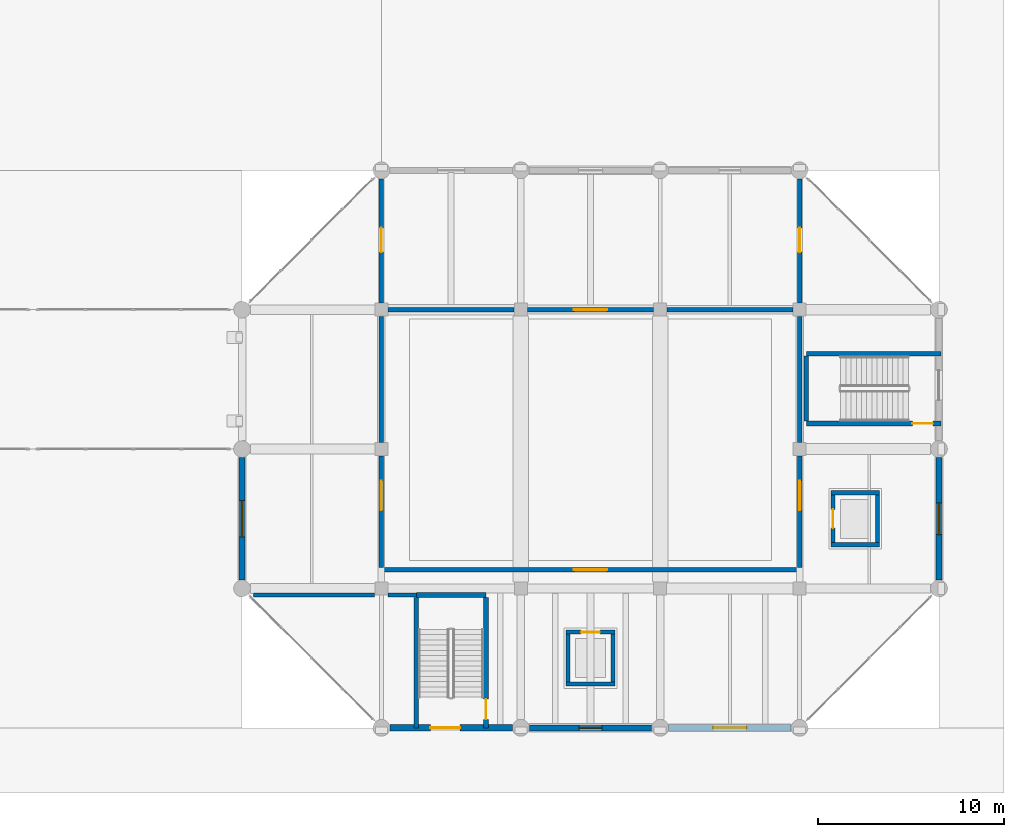
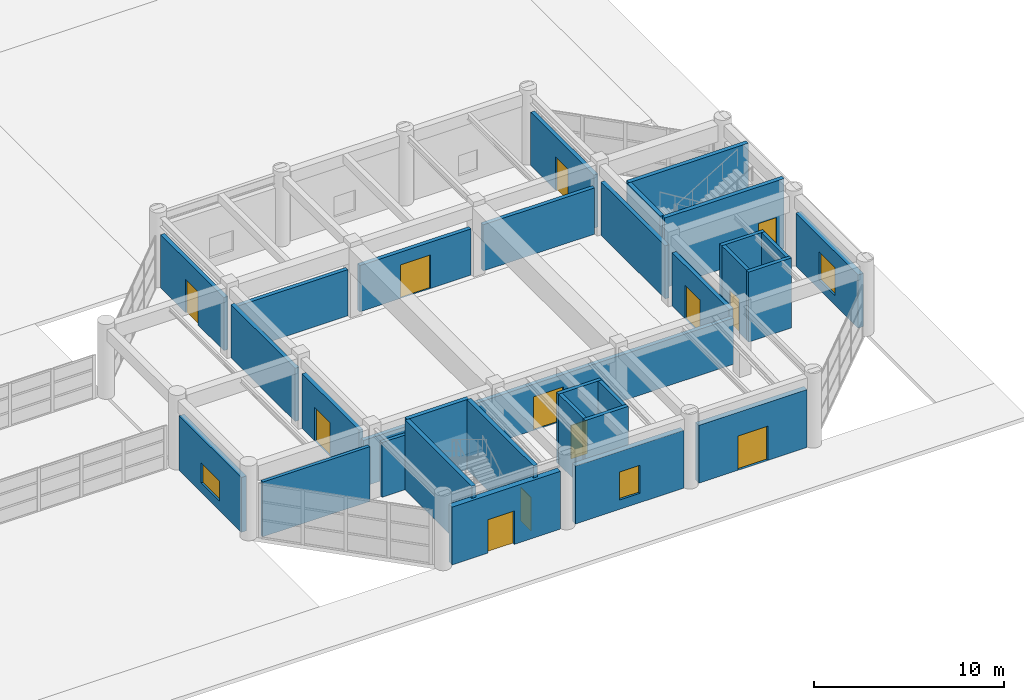
# One storey, part 94 of 122: 31 walls, 12 doors, 3 windows, 15 openings.
"""IFC4 building model written with IfcOpenShell, lengths in metres."""

import ifcopenshell
import ifcopenshell.guid

model = None  # the IFC model being written
_history = None  # IfcOwnerHistory: only IFC2X3 demands one
_inside = {}  # id of a spatial element -> (the spatial element, [elements in it])
_under = {}  # id of a project, library or spatial element -> (it, [spatial elements below it])
_declared = {}  # id of a project -> (the project, [libraries it declares])
_typed = {}  # id of a type object -> (the type object, [elements of that type])
_made_of = {}  # id of a material, layer set ... -> (it, [elements and type objects made of it])


def new_model(schema):
    """Start an empty IFC model of exactly this schema.

    Asked for "IFC4X3", IfcOpenShell would pick the latest addendum, in which some entities
    have other attributes; the version numbers below select the first issue.
    IFC2X3 requires an IfcOwnerHistory on every rooted entity: one is made here for all.
    """
    global model, _history
    if schema == "IFC4X3":
        model = ifcopenshell.file(schema_version=(4, 3, 0, 0))
    else:
        model = ifcopenshell.file(schema=schema)
    _inside.clear()
    _under.clear()
    _declared.clear()
    _typed.clear()
    _made_of.clear()
    _history = None
    if model.schema == "IFC2X3":
        org = make("IfcOrganization", Name="unknown")
        user = make(
            "IfcPersonAndOrganization",
            ThePerson=make("IfcPerson", FamilyName="unknown"),
            TheOrganization=org,
        )
        app = make(
            "IfcApplication",
            ApplicationDeveloper=org,
            Version="unknown",
            ApplicationFullName="unknown",
            ApplicationIdentifier="unknown",
        )
        _history = make(
            "IfcOwnerHistory",
            OwningUser=user,
            OwningApplication=app,
            ChangeAction="ADDED",
            CreationDate=0,
        )
    return model


def make(cls, **values):
    """One entity of the class cls with the attributes given. An attribute that is None is left unset."""
    return model.create_entity(
        cls, **{name: value for name, value in values.items() if value is not None}
    )


def rooted(cls, **values):
    """An entity with a GlobalId (a new one), such as an element, a storey or a relation."""
    return make(cls, GlobalId=ifcopenshell.guid.new(), OwnerHistory=_history, **values)


def si_unit(unit_type, name, prefix=None):
    """IfcSIUnit, for example si_unit("LENGTHUNIT", "METRE", prefix="MILLI")."""
    return make("IfcSIUnit", UnitType=unit_type, Prefix=prefix, Name=name)


def assignment(units):
    """IfcUnitAssignment: the units of a project."""
    return None if units is None else make("IfcUnitAssignment", Units=units)


def point(xyz):
    """IfcCartesianPoint."""
    return None if xyz is None else make("IfcCartesianPoint", Coordinates=xyz)


def direction(xyz):
    """IfcDirection."""
    return None if xyz is None else make("IfcDirection", DirectionRatios=xyz)


def frame(location, z_axis=None, x_axis=None):
    """IfcAxis2Placement3D, a coordinate frame: its origin and axes. An axis left out is left unset."""
    return make(
        "IfcAxis2Placement3D",
        Location=point(location),
        Axis=direction(z_axis),
        RefDirection=direction(x_axis),
    )


def frame_2d(location, x_axis=None):
    """IfcAxis2Placement2D, a coordinate frame in the plane: its origin and x axis."""
    return make(
        "IfcAxis2Placement2D", Location=point(location), RefDirection=direction(x_axis)
    )


def origin():
    """The frame at (0, 0, 0) with its axes left unset."""
    return frame((0.0, 0.0, 0.0))


def place(relative_to, where):
    """IfcLocalPlacement: puts the frame where relative to a parent placement (None: the world)."""
    return make(
        "IfcLocalPlacement", PlacementRelTo=relative_to, RelativePlacement=where
    )


def context(
    kind, dimensions, precision=None, world=None, true_north=None, identifier=None
):
    """IfcGeometricRepresentationContext, for example the 3D "Model" context."""
    return make(
        "IfcGeometricRepresentationContext",
        ContextIdentifier=identifier,
        ContextType=kind,
        CoordinateSpaceDimension=dimensions,
        Precision=precision,
        WorldCoordinateSystem=world,
        TrueNorth=true_north,
    )


def subcontext(parent, identifier, kind, view, scale=None):
    """IfcGeometricRepresentationSubContext, for example "Body" below "Model"."""
    return make(
        "IfcGeometricRepresentationSubContext",
        ContextIdentifier=identifier,
        ContextType=kind,
        ParentContext=parent,
        TargetScale=scale,
        TargetView=view,
    )


def project(units=None, contexts=None):
    """IfcProject with its units and contexts."""
    return rooted(
        "IfcProject",
        Name="project",
        RepresentationContexts=contexts,
        UnitsInContext=assignment(units),
    )


def spatial(cls, under=None, at=None, **own):
    """A site, building, storey or space (cls), placed at a placement, below another one or the project."""
    s = rooted(cls, ObjectPlacement=at, **own)
    if under is not None:
        _under.setdefault(under.id(), (under, []))[1].append(s)
    return s


def profile(cls, at=None, kind="AREA", **sizes):
    """A parametric profile (cls). Its sizes go by their IFC names, for example OverallWidth=200.0."""
    return make(cls, ProfileType=kind, Position=at, **sizes)


def rectangle(**sizes):
    """IfcRectangleProfileDef."""
    return profile("IfcRectangleProfileDef", **sizes)


def extrude(swept, where, along, depth):
    """IfcExtrudedAreaSolid: the profile swept, set in the frame where, extruded along a direction by depth."""
    return make(
        "IfcExtrudedAreaSolid",
        SweptArea=swept,
        Position=where,
        ExtrudedDirection=direction(along),
        Depth=depth,
    )


def shape(context_of_items, identifier, shape_type, items):
    """IfcShapeRepresentation: the items that make up one representation, for example the "Body"."""
    return make(
        "IfcShapeRepresentation",
        ContextOfItems=context_of_items,
        RepresentationIdentifier=identifier,
        RepresentationType=shape_type,
        Items=items,
    )


def material(Name=None, Category=None):
    """IfcMaterial."""
    return make("IfcMaterial", Name=Name, Category=Category)


def layer(
    of_material, thickness, ventilated=None, Name=None, Category=None, Priority=None
):
    """IfcMaterialLayer: one layer of a wall or slab, of a material (None: an air gap)."""
    return make(
        "IfcMaterialLayer",
        Material=of_material,
        LayerThickness=thickness,
        IsVentilated=ventilated,
        Name=Name,
        Category=Category,
        Priority=Priority,
    )


def layer_set(layers, Name=None):
    """IfcMaterialLayerSet."""
    return make("IfcMaterialLayerSet", MaterialLayers=layers, LayerSetName=Name)


def made_of(thing, what):
    """Note that an element or type object is made of a material, layer set ...; save() writes the relation."""
    if what is not None:
        _made_of.setdefault(what.id(), (what, []))[1].append(thing)
    return thing


def type_object(cls, material=None, **own):
    """A type object (cls), such as IfcWallType, which elements share."""
    return made_of(rooted(cls, **own), material)


def element(
    cls,
    number,
    at=None,
    inside=None,
    cuts=None,
    type_object=None,
    material=None,
    context=None,
    identifier="Body",
    shape_type=None,
    held_by="IfcProductDefinitionShape",
    body=None,
    shapes=None,
    **own,
):
    """One element of the class cls, such as IfcWall. Its Tag is "e" and its number.

    at: its placement. inside: the storey or other place that contains it. cuts: it is an
    opening in that element (IfcRelVoidsElement). A single representation is given by context,
    identifier, shape_type and body (its items); several are given by shapes. held_by: the class
    of the entity that holds the representations. save() writes the other relations.
    """
    e = rooted(cls, Tag="e%d" % number, ObjectPlacement=at, **own)
    if body is not None:
        shapes = [shape(context, identifier, shape_type, body)]
    if shapes is not None:
        e.Representation = make(held_by, Representations=shapes)
    if inside is not None:
        _inside.setdefault(inside.id(), (inside, []))[1].append(e)
    if cuts is not None:
        rooted(
            "IfcRelVoidsElement", RelatingBuildingElement=cuts, RelatedOpeningElement=e
        )
    if type_object is not None:
        _typed.setdefault(type_object.id(), (type_object, []))[1].append(e)
    return made_of(e, material)


def fill(opening, filler):
    """IfcRelFillsElement: the door or window that sits in an opening."""
    return rooted(
        "IfcRelFillsElement",
        RelatingOpeningElement=opening,
        RelatedBuildingElement=filler,
    )


def aggregate(whole, parts):
    """IfcRelAggregates: a whole, such as a stair, and the parts it consists of."""
    return rooted("IfcRelAggregates", RelatingObject=whole, RelatedObjects=parts)


def save(model, path):
    """Write the relations noted so far, then the file.

    IfcRelAggregates (storeys below a building ...), IfcRelContainedInSpatialStructure (elements
    in a storey), IfcRelDefinesByType, IfcRelAssociatesMaterial and IfcRelDeclares: one each for
    every whole, place, type object, material and project.
    """
    for whole, parts in _under.values():
        aggregate(whole, parts)
    for where, things in _inside.values():
        rooted(
            "IfcRelContainedInSpatialStructure",
            RelatedElements=things,
            RelatingStructure=where,
        )
    for kind, things in _typed.values():
        rooted("IfcRelDefinesByType", RelatedObjects=things, RelatingType=kind)
    for what, things in _made_of.values():
        rooted("IfcRelAssociatesMaterial", RelatedObjects=things, RelatingMaterial=what)
    for by, libraries in _declared.values():
        rooted("IfcRelDeclares", RelatingContext=by, RelatedDefinitions=libraries)
    model.write(path)


model = new_model("IFC4")

# Units and contexts
model_context = context("Model", 3, precision=1e-05, world=origin(), true_north=direction((0.0, 1.0)))
body_context = subcontext(model_context, "Body", "Model", "MODEL_VIEW")
ifc_project = project(units=[si_unit("LENGTHUNIT", "METRE"), si_unit("AREAUNIT", "SQUARE_METRE"), si_unit("VOLUMEUNIT", "CUBIC_METRE"), si_unit("PLANEANGLEUNIT", "RADIAN"), si_unit("MASSUNIT", "GRAM", prefix="KILO")], contexts=[model_context])

# Site, building, storey
site_placement = place(None, origin())
site = spatial("IfcSite", under=ifc_project, at=site_placement, CompositionType="ELEMENT")
building_placement = place(site_placement, origin())
building = spatial("IfcBuilding", under=site, at=building_placement, Name="Qasida Concert Hall", CompositionType="ELEMENT")
storey_placement = place(building_placement, origin())
storey = spatial("IfcBuildingStorey", under=building, at=storey_placement, Name="L00", CompositionType="ELEMENT", Elevation=0.0)

# Wall
ifc_material_1 = material(Name="Concrete C40/50", Category="concrete")
ifc_layer_1 = layer(ifc_material_1, 0.219970703125, Name="Concrete C40/50")
ifc_layer_set_1 = layer_set([ifc_layer_1], Name="Concrete C40/50")
wall_type_1 = type_object("IfcWallType", Name="WL-CW-220", PredefinedType="SOLIDWALL", material=ifc_layer_set_1)
wall_1_placement = place(storey_placement, frame((144.93994140625, 2.35009765625, 0.0), z_axis=(0.0, 0.0, 1.0), x_axis=(1.0, 0.0, 0.0)))
element("IfcWall", 1, at=wall_1_placement, inside=storey, type_object=wall_type_1, Name="L00 LF-11 lift shaft wall S", PredefinedType="SOLIDWALL", context=body_context, shape_type="SweptSolid", body=[
    extrude(rectangle(XDim=2.6201171875, YDim=0.219970703125, at=frame_2d((1.31005859375, 0.0))), origin(), (0.0, 0.0, 1.0), 4.5),
])

# Wall, opening, door
wall_2_placement = place(storey_placement, frame((144.93994140625, 5.14990234375, 0.0), z_axis=(0.0, 0.0, 1.0), x_axis=(1.0, 0.0, 0.0)))
wall_2 = element("IfcWall", 2, at=wall_2_placement, inside=storey, type_object=wall_type_1, Name="L00 LF-11 lift shaft wall N", PredefinedType="SOLIDWALL", context=body_context, shape_type="SweptSolid", body=[
    extrude(rectangle(XDim=2.6201171875, YDim=0.219970703125, at=frame_2d((1.31005859375, 0.0))), origin(), (0.0, 0.0, 1.0), 4.5),
])
opening_1_placement = place(wall_2_placement, frame((0.81005859375, 0.0, 0.0)))
opening_1 = element("IfcOpeningElement", 3, at=opening_1_placement, cuts=wall_2, Name="Opening LD-100", PredefinedType="OPENING", context=body_context, shape_type="SweptSolid", body=[
    extrude(rectangle(XDim=1.0, YDim=2.14990234375, at=frame_2d((0.5, 1.074951171875))), frame((0.0, 0.119873046875, 0.0), z_axis=(0.0, -1.0, 0.0), x_axis=(1.0, 0.0, 0.0)), (0.0, 0.0, 1.0), 0.239990234375),
])
ifc_material_2 = material(Name="Brushed bronze passenger lift landing door", Category="steel")
door_type_1 = type_object("IfcDoorType", Name="LD-100", OperationType="SLIDING_TO_LEFT", PredefinedType="DOOR", material=ifc_material_2)
door_1_placement = place(opening_1_placement, origin())
door_1 = element("IfcDoor", 4, at=door_1_placement, inside=storey, type_object=door_type_1, Name="Lift landing door LF-11 L00", OperationType="SLIDING_TO_LEFT", OverallHeight=2.14990234375, OverallWidth=1.0, PredefinedType="DOOR", context=body_context, shape_type="SweptSolid", body=[
    extrude(rectangle(XDim=1.0, YDim=2.14990234375, at=frame_2d((0.5, 1.074951171875))), frame((0.0, 0.02490234375, 0.0), z_axis=(0.0, -1.0, 0.0), x_axis=(1.0, 0.0, 0.0)), (0.0, 0.0, 1.0), 0.050048828125),
])
fill(opening_1, door_1)

# Walls
for number, where, z_axis, x_axis, name in (
    (5, (145.050048828125, 2.4599609375, 0.0), (0.0, 0.0, 1.0), (0.0, 1.0, 0.0), "L00 LF-11 lift shaft wall W"),
    (6, (147.449951171875, 2.4599609375, 0.0), (0.0, 0.0, 1.0), (0.0, 1.0, 0.0), "L00 LF-11 lift shaft wall E"),
):
    element("IfcWall", number, at=place(storey_placement, frame(where, z_axis=z_axis, x_axis=x_axis)), inside=storey, type_object=wall_type_1, Name=name, PredefinedType="SOLIDWALL", context=body_context, shape_type="SweptSolid", body=[
        extrude(rectangle(XDim=2.580078125, YDim=0.219970703125, at=frame_2d((1.2900390625, 0.0))), origin(), (0.0, 0.0, 1.0), 4.5),
    ])
for number, where, z_axis, x_axis, name in (
    (7, (159.18994140625, 9.85009765625, 0.0), (0.0, 0.0, 1.0), (1.0, 0.0, 0.0), "L00 LF-12 lift shaft wall S"),
    (8, (159.18994140625, 12.64990234375, 0.0), (0.0, 0.0, 1.0), (1.0, 0.0, 0.0), "L00 LF-12 lift shaft wall N"),
):
    element("IfcWall", number, at=place(storey_placement, frame(where, z_axis=z_axis, x_axis=x_axis)), inside=storey, type_object=wall_type_1, Name=name, PredefinedType="SOLIDWALL", context=body_context, shape_type="SweptSolid", body=[
        extrude(rectangle(XDim=2.6201171875, YDim=0.219970703125, at=frame_2d((1.31005859375, 0.0))), origin(), (0.0, 0.0, 1.0), 4.5),
    ])

# Wall, opening, door
wall_3_placement = place(storey_placement, frame((159.300048828125, 9.9599609375, 0.0), z_axis=(0.0, 0.0, 1.0), x_axis=(0.0, 1.0, 0.0)))
wall_3 = element("IfcWall", 9, at=wall_3_placement, inside=storey, type_object=wall_type_1, Name="L00 LF-12 lift shaft wall W", PredefinedType="SOLIDWALL", context=body_context, shape_type="SweptSolid", body=[
    extrude(rectangle(XDim=2.580078125, YDim=0.219970703125, at=frame_2d((1.2900390625, 0.0))), origin(), (0.0, 0.0, 1.0), 4.5),
])
opening_2_placement = place(wall_3_placement, frame((0.7900390625, 0.0, 0.0)))
opening_2 = element("IfcOpeningElement", 10, at=opening_2_placement, cuts=wall_3, Name="Opening LD-100", PredefinedType="OPENING", context=body_context, shape_type="SweptSolid", body=[
    extrude(rectangle(XDim=1.0, YDim=2.14990234375, at=frame_2d((0.5, 1.074951171875))), frame((0.0, 0.119873046875, 0.0), z_axis=(0.0, -1.0, 0.0), x_axis=(1.0, 0.0, 0.0)), (0.0, 0.0, 1.0), 0.239990234375),
])
door_2_placement = place(opening_2_placement, origin())
door_2 = element("IfcDoor", 11, at=door_2_placement, inside=storey, type_object=door_type_1, Name="Lift landing door LF-12 L00", OperationType="SLIDING_TO_LEFT", OverallHeight=2.14990234375, OverallWidth=1.0, PredefinedType="DOOR", context=body_context, shape_type="SweptSolid", body=[
    extrude(rectangle(XDim=1.0, YDim=2.14990234375, at=frame_2d((0.5, 1.074951171875))), frame((0.0, 0.02490234375, 0.0), z_axis=(0.0, -1.0, 0.0), x_axis=(1.0, 0.0, 0.0)), (0.0, 0.0, 1.0), 0.050048828125),
])
fill(opening_2, door_2)

# Walls
wall_4_placement = place(storey_placement, frame((161.699951171875, 9.9599609375, 0.0), z_axis=(0.0, 0.0, 1.0), x_axis=(0.0, 1.0, 0.0)))
element("IfcWall", 12, at=wall_4_placement, inside=storey, type_object=wall_type_1, Name="L00 LF-12 lift shaft wall E", PredefinedType="SOLIDWALL", context=body_context, shape_type="SweptSolid", body=[
    extrude(rectangle(XDim=2.580078125, YDim=0.219970703125, at=frame_2d((1.2900390625, 0.0))), origin(), (0.0, 0.0, 1.0), 4.5),
])
ifc_layer_2 = layer(ifc_material_1, 0.25, Name="Concrete C40/50")
ifc_layer_set_2 = layer_set([ifc_layer_2], Name="Concrete C40/50")
wall_type_2 = type_object("IfcWallType", Name="WL-CW-250", PredefinedType="SOLIDWALL", material=ifc_layer_set_2)
wall_5_placement = place(storey_placement, frame((136.8798828125, 7.14501953125, 0.0), z_axis=(0.0, 0.0, 1.0), x_axis=(1.0, 0.0, 0.0)))
element("IfcWall", 13, at=wall_5_placement, inside=storey, type_object=wall_type_2, Name="L00 ST-09 stairwell wall N", PredefinedType="SOLIDWALL", context=body_context, shape_type="SweptSolid", body=[
    extrude(rectangle(XDim=3.740234375, YDim=0.25, at=frame_2d((1.8701171875, 0.0))), origin(), (0.0, 0.0, 1.0), 4.5),
])
wall_6_placement = place(storey_placement, frame((136.875, 0.0, 0.0), z_axis=(0.0, 0.0, 1.0), x_axis=(0.0, 1.0, 0.0)))
element("IfcWall", 14, at=wall_6_placement, inside=storey, type_object=wall_type_2, Name="L00 ST-09 stairwell wall W", PredefinedType="SOLIDWALL", context=body_context, shape_type="SweptSolid", body=[
    extrude(rectangle(XDim=7.02001953125, YDim=0.25, at=frame_2d((3.510009765625, 0.0))), origin(), (0.0, 0.0, 1.0), 4.5),
])

# Wall, opening, door
wall_7_placement = place(storey_placement, frame((140.625, 0.0, 0.0), z_axis=(0.0, 0.0, 1.0), x_axis=(0.0, 1.0, 0.0)))
wall_7 = element("IfcWall", 15, at=wall_7_placement, inside=storey, type_object=wall_type_2, Name="L00 ST-09 stairwell wall E", PredefinedType="SOLIDWALL", context=body_context, shape_type="SweptSolid", body=[
    extrude(rectangle(XDim=7.02001953125, YDim=0.25, at=frame_2d((3.510009765625, 0.0))), origin(), (0.0, 0.0, 1.0), 4.5),
])
opening_3_placement = place(wall_7_placement, frame((0.449951171875, 0.0, 0.0)))
opening_3 = element("IfcOpeningElement", 16, at=opening_3_placement, cuts=wall_7, Name="Opening FD-110", PredefinedType="OPENING", context=body_context, shape_type="SweptSolid", body=[
    extrude(rectangle(XDim=1.10009765625, YDim=2.14990234375, at=frame_2d((0.550048828125, 1.074951171875))), frame((0.0, 0.135009765625, 0.0), z_axis=(0.0, -1.0, 0.0), x_axis=(1.0, 0.0, 0.0)), (0.0, 0.0, 1.0), 0.27001953125),
])
ifc_material_3 = material(Name="Steel fire-rated stair/lobby door set", Category="steel")
door_type_2 = type_object("IfcDoorType", Name="FD-110", OperationType="NOTDEFINED", PredefinedType="DOOR", material=ifc_material_3)
door_3_placement = place(opening_3_placement, origin())
door_3 = element("IfcDoor", 17, at=door_3_placement, inside=storey, type_object=door_type_2, Name="L00 ST-09 rated stair door", OperationType="SINGLE_SWING_LEFT", OverallHeight=2.14990234375, OverallWidth=1.10009765625, PredefinedType="DOOR", context=body_context, shape_type="SweptSolid", body=[
    extrude(rectangle(XDim=1.10009765625, YDim=2.14990234375, at=frame_2d((0.550048828125, 1.074951171875))), frame((0.0, 0.02490234375, 0.0), z_axis=(0.0, -1.0, 0.0), x_axis=(1.0, 0.0, 0.0)), (0.0, 0.0, 1.0), 0.050048828125),
])
fill(opening_3, door_3)

wall_8_placement = place(storey_placement, frame((157.860107421875, 16.375, 0.0), z_axis=(0.0, 0.0, 1.0), x_axis=(1.0, 0.0, 0.0)))
wall_8 = element("IfcWall", 18, at=wall_8_placement, inside=storey, type_object=wall_type_2, Name="L00 ST-10 stairwell wall S", PredefinedType="SOLIDWALL", context=body_context, shape_type="SweptSolid", body=[
    extrude(rectangle(XDim=7.260009765625, YDim=0.25, at=frame_2d((3.6298828125, 0.0))), origin(), (0.0, 0.0, 1.0), 4.5),
])
opening_4_placement = place(wall_8_placement, frame((5.7099609375, 0.0, 0.0)))
opening_4 = element("IfcOpeningElement", 19, at=opening_4_placement, cuts=wall_8, Name="Opening FD-110", PredefinedType="OPENING", context=body_context, shape_type="SweptSolid", body=[
    extrude(rectangle(XDim=1.10009765625, YDim=2.14990234375, at=frame_2d((0.550048828125, 1.074951171875))), frame((0.0, 0.135009765625, 0.0), z_axis=(0.0, -1.0, 0.0), x_axis=(1.0, 0.0, 0.0)), (0.0, 0.0, 1.0), 0.27001953125),
])
door_4_placement = place(opening_4_placement, origin())
door_4 = element("IfcDoor", 20, at=door_4_placement, inside=storey, type_object=door_type_2, Name="L00 ST-10 rated stair door", OperationType="SINGLE_SWING_RIGHT", OverallHeight=2.14990234375, OverallWidth=1.10009765625, PredefinedType="DOOR", context=body_context, shape_type="SweptSolid", body=[
    extrude(rectangle(XDim=1.10009765625, YDim=2.14990234375, at=frame_2d((0.550048828125, 1.074951171875))), frame((0.0, 0.02490234375, 0.0), z_axis=(0.0, -1.0, 0.0), x_axis=(1.0, 0.0, 0.0)), (0.0, 0.0, 1.0), 0.050048828125),
])
fill(opening_4, door_4)

# Walls
wall_9_placement = place(storey_placement, frame((157.860107421875, 20.125, 0.0), z_axis=(0.0, 0.0, 1.0), x_axis=(1.0, 0.0, 0.0)))
element("IfcWall", 21, at=wall_9_placement, inside=storey, type_object=wall_type_2, Name="L00 ST-10 stairwell wall N", PredefinedType="SOLIDWALL", context=body_context, shape_type="SweptSolid", body=[
    extrude(rectangle(XDim=7.260009765625, YDim=0.25, at=frame_2d((3.6298828125, 0.0))), origin(), (0.0, 0.0, 1.0), 4.5),
])
wall_10_placement = place(storey_placement, frame((157.85498046875, 16.5, 0.0), z_axis=(0.0, 0.0, 1.0), x_axis=(0.0, 1.0, 0.0)))
element("IfcWall", 22, at=wall_10_placement, inside=storey, type_object=wall_type_2, Name="L00 ST-10 stairwell wall W", PredefinedType="SOLIDWALL", context=body_context, shape_type="SweptSolid", body=[
    extrude(rectangle(XDim=3.5, YDim=0.25, at=frame_2d((1.75, 0.0))), origin(), (0.0, 0.0, 1.0), 4.5),
])

# Wall, opening, window
ifc_material_4 = material(Name="Precast concrete C40/50", Category="concrete")
ifc_layer_3 = layer(ifc_material_4, 0.320068359375, Name="Precast concrete C40/50")
ifc_layer_set_3 = layer_set([ifc_layer_3], Name="Precast concrete C40/50")
wall_type_3 = type_object("IfcWallType", Name="WL-EW-320", PredefinedType="SOLIDWALL", material=ifc_layer_set_3)
wall_11_placement = place(storey_placement, frame((142.955078125, 0.0, 0.0), z_axis=(0.0, 0.0, 1.0), x_axis=(1.0, 0.0, 0.0)))
wall_11 = element("IfcWall", 23, at=wall_11_placement, inside=storey, type_object=wall_type_3, Name="L00 exterior wall EW-320 0147", PredefinedType="SOLIDWALL", context=body_context, shape_type="SweptSolid", body=[
    extrude(rectangle(XDim=6.58984375, YDim=0.320068359375, at=frame_2d((3.294921875, 0.0))), origin(), (0.0, 0.0, 1.0), 3.719970703125),
])
opening_5_placement = place(wall_11_placement, frame((2.669921875, 0.0, 0.60009765625)))
opening_5 = element("IfcOpeningElement", 24, at=opening_5_placement, cuts=wall_11, Name="Opening WN-02", PredefinedType="OPENING", context=body_context, shape_type="SweptSolid", body=[
    extrude(rectangle(XDim=1.25, YDim=1.800048828125, at=frame_2d((0.625, 0.89990234375))), frame((0.0, 0.169921875, 0.0), z_axis=(0.0, -1.0, 0.0), x_axis=(1.0, 0.0, 0.0)), (0.0, 0.0, 1.0), 0.340087890625),
])
ifc_material_5 = material(Name="Bronze-anodized aluminium frame with acoustic low-E glazing", Category="aluminium")
window_type_1 = type_object("IfcWindowType", Name="WN-02", PartitioningType="SINGLE_PANEL", PredefinedType="WINDOW", material=ifc_material_5)
window_1_placement = place(opening_5_placement, origin())
window_1 = element("IfcWindow", 25, at=window_1_placement, inside=storey, type_object=window_type_1, Name="L00 window WN-02 0059", OverallHeight=1.800048828125, OverallWidth=1.25, PartitioningType="SINGLE_PANEL", PredefinedType="WINDOW", context=body_context, shape_type="SweptSolid", body=[
    extrude(rectangle(XDim=1.25, YDim=1.800048828125, at=frame_2d((0.625, 0.89990234375))), frame((0.0, 0.030029296875, 0.0), z_axis=(0.0, -1.0, 0.0), x_axis=(1.0, 0.0, 0.0)), (0.0, 0.0, 1.0), 0.06005859375),
])
fill(opening_5, window_1)

wall_12_placement = place(storey_placement, frame((165.0, 7.965087890625, 0.0), z_axis=(0.0, 0.0, 1.0), x_axis=(0.0, 1.0, 0.0)))
wall_12 = element("IfcWall", 26, at=wall_12_placement, inside=storey, type_object=wall_type_3, Name="L00 exterior wall EW-320 0149", PredefinedType="SOLIDWALL", context=body_context, shape_type="SweptSolid", body=[
    extrude(rectangle(XDim=6.56982421875, YDim=0.320068359375, at=frame_2d((3.284912109375, 0.0))), origin(), (0.0, 0.0, 1.0), 3.419921875),
])
opening_6_placement = place(wall_12_placement, frame((2.43505859375, 0.0, 0.60009765625)))
opening_6 = element("IfcOpeningElement", 27, at=opening_6_placement, cuts=wall_12, Name="Opening WN-05", PredefinedType="OPENING", context=body_context, shape_type="SweptSolid", body=[
    extrude(rectangle(XDim=1.699951171875, YDim=1.800048828125, at=frame_2d((0.85009765625, 0.89990234375))), frame((0.0, 0.169921875, 0.0), z_axis=(0.0, -1.0, 0.0), x_axis=(1.0, 0.0, 0.0)), (0.0, 0.0, 1.0), 0.340087890625),
])
window_type_2 = type_object("IfcWindowType", Name="WN-05", PartitioningType="SINGLE_PANEL", PredefinedType="WINDOW", material=ifc_material_5)
window_2_placement = place(opening_6_placement, origin())
window_2 = element("IfcWindow", 28, at=window_2_placement, inside=storey, type_object=window_type_2, Name="L00 window WN-05 0060", OverallHeight=1.800048828125, OverallWidth=1.699951171875, PartitioningType="SINGLE_PANEL", PredefinedType="WINDOW", context=body_context, shape_type="SweptSolid", body=[
    extrude(rectangle(XDim=1.699951171875, YDim=1.800048828125, at=frame_2d((0.85009765625, 0.89990234375))), frame((0.0, 0.030029296875, 0.0), z_axis=(0.0, -1.0, 0.0), x_axis=(1.0, 0.0, 0.0)), (0.0, 0.0, 1.0), 0.06005859375),
])
fill(opening_6, window_2)

wall_13_placement = place(storey_placement, frame((127.5, 14.534912109375, 0.0), z_axis=(0.0, 0.0, 1.0), x_axis=(0.0, -1.0, 0.0)))
wall_13 = element("IfcWall", 29, at=wall_13_placement, inside=storey, type_object=wall_type_3, Name="L00 exterior wall EW-320 0154", PredefinedType="SOLIDWALL", context=body_context, shape_type="SweptSolid", body=[
    extrude(rectangle(XDim=6.56982421875, YDim=0.320068359375, at=frame_2d((3.284912109375, 0.0))), origin(), (0.0, 0.0, 1.0), 3.52001953125),
])
opening_7_placement = place(wall_13_placement, frame((2.31005859375, 0.0, 0.60009765625)))
opening_7 = element("IfcOpeningElement", 30, at=opening_7_placement, cuts=wall_13, Name="Opening WN-14", PredefinedType="OPENING", context=body_context, shape_type="SweptSolid", body=[
    extrude(rectangle(XDim=1.949951171875, YDim=1.300048828125, at=frame_2d((0.97509765625, 0.64990234375))), frame((0.0, 0.169921875, 0.0), z_axis=(0.0, -1.0, 0.0), x_axis=(1.0, 0.0, 0.0)), (0.0, 0.0, 1.0), 0.340087890625),
])
window_type_3 = type_object("IfcWindowType", Name="WN-14", PartitioningType="SINGLE_PANEL", PredefinedType="WINDOW", material=ifc_material_5)
window_3_placement = place(opening_7_placement, origin())
window_3 = element("IfcWindow", 31, at=window_3_placement, inside=storey, type_object=window_type_3, Name="L00 window WN-14 0064", OverallHeight=1.300048828125, OverallWidth=1.949951171875, PartitioningType="SINGLE_PANEL", PredefinedType="WINDOW", context=body_context, shape_type="SweptSolid", body=[
    extrude(rectangle(XDim=1.949951171875, YDim=1.300048828125, at=frame_2d((0.97509765625, 0.64990234375))), frame((0.0, 0.030029296875, 0.0), z_axis=(0.0, -1.0, 0.0), x_axis=(1.0, 0.0, 0.0)), (0.0, 0.0, 1.0), 0.06005859375),
])
fill(opening_7, window_3)

# Wall, opening, door
ifc_layer_4 = layer(ifc_material_4, 0.340087890625, Name="Precast concrete C40/50")
ifc_layer_set_4 = layer_set([ifc_layer_4], Name="Precast concrete C40/50")
wall_type_4 = type_object("IfcWallType", Name="WL-EW-340", PredefinedType="SOLIDWALL", material=ifc_layer_set_4)
wall_14_placement = place(storey_placement, frame((135.455078125, 0.0, 0.0), z_axis=(0.0, 0.0, 1.0), x_axis=(1.0, 0.0, 0.0)))
wall_14 = element("IfcWall", 32, at=wall_14_placement, inside=storey, type_object=wall_type_4, Name="L00 exterior wall EW-340 0146", PredefinedType="SOLIDWALL", context=body_context, shape_type="SweptSolid", body=[
    extrude(rectangle(XDim=6.58984375, YDim=0.340087890625, at=frame_2d((3.294921875, 0.0))), origin(), (0.0, 0.0, 1.0), 3.719970703125),
])
opening_8_placement = place(wall_14_placement, frame((2.181884765625, 0.0, 0.0)))
opening_8 = element("IfcOpeningElement", 33, at=opening_8_placement, cuts=wall_14, Name="Opening ED-160", PredefinedType="OPENING", context=body_context, shape_type="SweptSolid", body=[
    extrude(rectangle(XDim=1.60009765625, YDim=2.14990234375, at=frame_2d((0.800048828125, 1.074951171875))), frame((0.0, 0.179931640625, 0.0), z_axis=(0.0, -1.0, 0.0), x_axis=(1.0, 0.0, 0.0)), (0.0, 0.0, 1.0), 0.360107421875),
])
ifc_material_6 = material(Name="Patinated architectural bronze and laminated safety glass", Category="glass")
door_type_3 = type_object("IfcDoorType", Name="ED-160", OperationType="NOTDEFINED", PredefinedType="DOOR", material=ifc_material_6)
door_5_placement = place(opening_8_placement, frame((1.60009765625, 0.0, 0.0), z_axis=(0.0, 0.0, 1.0), x_axis=(-1.0, 0.0, 0.0)))
door_5 = element("IfcDoor", 34, at=door_5_placement, inside=storey, type_object=door_type_3, Name="Exit stair ST-09 final discharge door", OperationType="SINGLE_SWING_RIGHT", OverallHeight=2.14990234375, OverallWidth=1.60009765625, PredefinedType="DOOR", context=body_context, shape_type="SweptSolid", body=[
    extrude(rectangle(XDim=1.60009765625, YDim=2.14990234375, at=frame_2d((0.800048828125, 1.074951171875))), frame((0.0, 0.02490234375, 0.0), z_axis=(0.0, -1.0, 0.0), x_axis=(1.0, 0.0, 0.0)), (0.0, 0.0, 1.0), 0.050048828125),
])
fill(opening_8, door_5)

wall_15_placement = place(storey_placement, frame((150.455078125, 0.0, 0.0), z_axis=(0.0, 0.0, 1.0), x_axis=(1.0, 0.0, 0.0)))
wall_15 = element("IfcWall", 35, at=wall_15_placement, inside=storey, type_object=wall_type_4, Name="L00 exterior wall EW-340 0148", PredefinedType="SOLIDWALL", context=body_context, shape_type="SweptSolid", body=[
    extrude(rectangle(XDim=6.58984375, YDim=0.340087890625, at=frame_2d((3.294921875, 0.0))), origin(), (0.0, 0.0, 1.0), 3.719970703125),
])
opening_9_placement = place(wall_15_placement, frame((2.39501953125, 0.0, 0.0)))
opening_9 = element("IfcOpeningElement", 36, at=opening_9_placement, cuts=wall_15, Name="Opening ED-180", PredefinedType="OPENING", context=body_context, shape_type="SweptSolid", body=[
    extrude(rectangle(XDim=1.800048828125, YDim=2.199951171875, at=frame_2d((0.89990234375, 1.10009765625))), frame((0.0, 0.179931640625, 0.0), z_axis=(0.0, -1.0, 0.0), x_axis=(1.0, 0.0, 0.0)), (0.0, 0.0, 1.0), 0.360107421875),
])
door_type_4 = type_object("IfcDoorType", Name="ED-180", OperationType="NOTDEFINED", PredefinedType="DOOR", material=ifc_material_6)
door_6_placement = place(opening_9_placement, frame((1.800048828125, 0.0, 0.0), z_axis=(0.0, 0.0, 1.0), x_axis=(-1.0, 0.0, 0.0)))
door_6 = element("IfcDoor", 37, at=door_6_placement, inside=storey, type_object=door_type_4, Name="Chamber foyer south entrance exit door", OperationType="SINGLE_SWING_LEFT", OverallHeight=2.199951171875, OverallWidth=1.800048828125, PredefinedType="DOOR", context=body_context, shape_type="SweptSolid", body=[
    extrude(rectangle(XDim=1.800048828125, YDim=2.199951171875, at=frame_2d((0.89990234375, 1.10009765625))), frame((0.0, 0.02490234375, 0.0), z_axis=(0.0, -1.0, 0.0), x_axis=(1.0, 0.0, 0.0)), (0.0, 0.0, 1.0), 0.050048828125),
])
fill(opening_9, door_6)

# Walls
ifc_material_7 = material(Name="Acoustic gypsum block and mineral wool", Category="gypsum")
ifc_layer_5 = layer(ifc_material_7, 0.199951171875, Name="Acoustic gypsum block and mineral wool")
ifc_layer_set_5 = layer_set([ifc_layer_5], Name="Acoustic gypsum block and mineral wool")
wall_type_5 = type_object("IfcWallType", Name="WL-PW-200", PredefinedType="PARTITIONING", material=ifc_layer_set_5)
wall_16_placement = place(storey_placement, frame((128.1083984375, 7.14990234375, 0.0), z_axis=(0.0, 0.0, 1.0), x_axis=(1.0, 0.0, 0.0)))
element("IfcWall", 38, at=wall_16_placement, inside=storey, type_object=wall_type_5, Name="L00 partition PW-200 0580", PredefinedType="PARTITIONING", context=body_context, shape_type="SweptSolid", body=[
    extrude(rectangle(XDim=6.527587890625, YDim=0.199951171875, at=frame_2d((3.263671875, 0.0))), origin(), (0.0, 0.0, 1.0), 3.52001953125),
])
wall_17_placement = place(storey_placement, frame((135.364013671875, 7.14990234375, 0.0), z_axis=(0.0, 0.0, 1.0), x_axis=(1.0, 0.0, 0.0)))
element("IfcWall", 39, at=wall_17_placement, inside=storey, type_object=wall_type_5, Name="L00 partition PW-200 0581", PredefinedType="PARTITIONING", context=body_context, shape_type="SweptSolid", body=[
    extrude(rectangle(XDim=1.515869140625, YDim=0.199951171875, at=frame_2d((0.7578125, 0.0))), origin(), (0.0, 0.0, 1.0), 3.52001953125),
])

# Wall, opening, door
ifc_material_8 = material(Name="Double-stud acoustic gypsum and mineral wool", Category="gypsum")
ifc_layer_6 = layer(ifc_material_8, 0.239990234375, Name="Double-stud acoustic gypsum and mineral wool")
ifc_layer_set_6 = layer_set([ifc_layer_6], Name="Double-stud acoustic gypsum and mineral wool")
wall_type_6 = type_object("IfcWallType", Name="WL-PW-240", PredefinedType="PARTITIONING", material=ifc_layer_set_6)
wall_18_placement = place(storey_placement, frame((135.0, 8.5, 0.0), z_axis=(0.0, 0.0, 1.0), x_axis=(1.0, 0.0, 0.0)))
wall_18 = element("IfcWall", 40, at=wall_18_placement, inside=storey, type_object=wall_type_6, Name="L00 partition PW-240 0582", PredefinedType="PARTITIONING", context=body_context, shape_type="SweptSolid", body=[
    extrude(rectangle(XDim=22.5, YDim=0.239990234375, at=frame_2d((11.25, 0.0))), origin(), (0.0, 0.0, 1.0), 2.969970703125),
])
opening_10_placement = place(wall_18_placement, frame((10.35009765625, 0.0, 0.0)))
opening_10 = element("IfcOpeningElement", 41, at=opening_10_placement, cuts=wall_18, Name="Opening AD-180", PredefinedType="OPENING", context=body_context, shape_type="SweptSolid", body=[
    extrude(rectangle(XDim=1.800048828125, YDim=2.159912109375, at=frame_2d((0.89990234375, 1.080078125))), frame((0.0, 0.1298828125, 0.0), z_axis=(0.0, -1.0, 0.0), x_axis=(1.0, 0.0, 0.0)), (0.0, 0.0, 1.0), 0.260009765625),
])
ifc_material_9 = material(Name="Double-seal Rw 52 dB auditorium vomitory door", Category="wood")
door_type_5 = type_object("IfcDoorType", Name="AD-180", OperationType="NOTDEFINED", PredefinedType="DOOR", material=ifc_material_9)
door_7_placement = place(opening_10_placement, origin())
door_7 = element("IfcDoor", 42, at=door_7_placement, inside=storey, type_object=door_type_5, Name="L00 Chamber parterre south foyer door", OperationType="SINGLE_SWING_RIGHT", OverallHeight=2.159912109375, OverallWidth=1.800048828125, PredefinedType="DOOR", context=body_context, shape_type="SweptSolid", body=[
    extrude(rectangle(XDim=1.800048828125, YDim=2.159912109375, at=frame_2d((0.89990234375, 1.080078125))), frame((0.0, 0.02490234375, 0.0), z_axis=(0.0, -1.0, 0.0), x_axis=(1.0, 0.0, 0.0)), (0.0, 0.0, 1.0), 0.050048828125),
])
fill(opening_10, door_7)

# Wall
wall_19_placement = place(storey_placement, frame((135.364013671875, 22.5, 0.0), z_axis=(0.0, 0.0, 1.0), x_axis=(1.0, 0.0, 0.0)))
element("IfcWall", 43, at=wall_19_placement, inside=storey, type_object=wall_type_6, Name="L00 partition PW-240 0583", PredefinedType="PARTITIONING", context=body_context, shape_type="SweptSolid", body=[
    extrude(rectangle(XDim=6.77197265625, YDim=0.239990234375, at=frame_2d((3.385986328125, 0.0))), origin(), (0.0, 0.0, 1.0), 2.969970703125),
])

# Wall, opening, door
wall_20_placement = place(storey_placement, frame((142.864013671875, 22.5, 0.0), z_axis=(0.0, 0.0, 1.0), x_axis=(1.0, 0.0, 0.0)))
wall_20 = element("IfcWall", 44, at=wall_20_placement, inside=storey, type_object=wall_type_6, Name="L00 partition PW-240 0584", PredefinedType="PARTITIONING", context=body_context, shape_type="SweptSolid", body=[
    extrude(rectangle(XDim=6.77197265625, YDim=0.239990234375, at=frame_2d((3.385986328125, 0.0))), origin(), (0.0, 0.0, 1.0), 2.969970703125),
])
opening_11_placement = place(wall_20_placement, frame((2.486083984375, 0.0, 0.0)))
opening_11 = element("IfcOpeningElement", 45, at=opening_11_placement, cuts=wall_20, Name="Opening AD-180", PredefinedType="OPENING", context=body_context, shape_type="SweptSolid", body=[
    extrude(rectangle(XDim=1.800048828125, YDim=2.159912109375, at=frame_2d((0.89990234375, 1.080078125))), frame((0.0, 0.1298828125, 0.0), z_axis=(0.0, -1.0, 0.0), x_axis=(1.0, 0.0, 0.0)), (0.0, 0.0, 1.0), 0.260009765625),
])
door_8_placement = place(opening_11_placement, origin())
door_8 = element("IfcDoor", 46, at=door_8_placement, inside=storey, type_object=door_type_5, Name="L00 Chamber stage green room door", OperationType="SINGLE_SWING_LEFT", OverallHeight=2.159912109375, OverallWidth=1.800048828125, PredefinedType="DOOR", context=body_context, shape_type="SweptSolid", body=[
    extrude(rectangle(XDim=1.800048828125, YDim=2.159912109375, at=frame_2d((0.89990234375, 1.080078125))), frame((0.0, 0.02490234375, 0.0), z_axis=(0.0, -1.0, 0.0), x_axis=(1.0, 0.0, 0.0)), (0.0, 0.0, 1.0), 0.050048828125),
])
fill(opening_11, door_8)

# Wall
wall_21_placement = place(storey_placement, frame((150.364013671875, 22.5, 0.0), z_axis=(0.0, 0.0, 1.0), x_axis=(1.0, 0.0, 0.0)))
element("IfcWall", 47, at=wall_21_placement, inside=storey, type_object=wall_type_6, Name="L00 partition PW-240 0585", PredefinedType="PARTITIONING", context=body_context, shape_type="SweptSolid", body=[
    extrude(rectangle(XDim=6.77197265625, YDim=0.239990234375, at=frame_2d((3.385986328125, 0.0))), origin(), (0.0, 0.0, 1.0), 2.969970703125),
])

# Wall, opening, door
wall_22_placement = place(storey_placement, frame((135.0, 8.634033203125, 0.0), z_axis=(0.0, 0.0, 1.0), x_axis=(0.0, 1.0, 0.0)))
wall_22 = element("IfcWall", 48, at=wall_22_placement, inside=storey, type_object=wall_type_6, Name="L00 partition PW-240 0586", PredefinedType="PARTITIONING", context=body_context, shape_type="SweptSolid", body=[
    extrude(rectangle(XDim=6.001953125, YDim=0.239990234375, at=frame_2d((3.0009765625, 0.0))), origin(), (0.0, 0.0, 1.0), 3.52001953125),
])
opening_12_placement = place(wall_22_placement, frame((3.06591796875, 0.0, 0.0)))
opening_12 = element("IfcOpeningElement", 49, at=opening_12_placement, cuts=wall_22, Name="Opening AD-160", PredefinedType="OPENING", context=body_context, shape_type="SweptSolid", body=[
    extrude(rectangle(XDim=1.60009765625, YDim=2.159912109375, at=frame_2d((0.800048828125, 1.080078125))), frame((0.0, 0.1298828125, 0.0), z_axis=(0.0, -1.0, 0.0), x_axis=(1.0, 0.0, 0.0)), (0.0, 0.0, 1.0), 0.260009765625),
])
ifc_material_10 = material(Name="Double-seal Rw 50 dB rehearsal hall door", Category="wood")
door_type_6 = type_object("IfcDoorType", Name="AD-160", OperationType="NOTDEFINED", PredefinedType="DOOR", material=ifc_material_10)
door_9_placement = place(opening_12_placement, origin())
door_9 = element("IfcDoor", 50, at=door_9_placement, inside=storey, type_object=door_type_6, Name="L00 Chamber parterre west sound-lock door", OperationType="SINGLE_SWING_RIGHT", OverallHeight=2.159912109375, OverallWidth=1.60009765625, PredefinedType="DOOR", context=body_context, shape_type="SweptSolid", body=[
    extrude(rectangle(XDim=1.60009765625, YDim=2.159912109375, at=frame_2d((0.800048828125, 1.080078125))), frame((0.0, 0.02490234375, 0.0), z_axis=(0.0, -1.0, 0.0), x_axis=(1.0, 0.0, 0.0)), (0.0, 0.0, 1.0), 0.050048828125),
])
fill(opening_12, door_9)

# Wall
wall_23_placement = place(storey_placement, frame((135.0, 15.364013671875, 0.0), z_axis=(0.0, 0.0, 1.0), x_axis=(0.0, 1.0, 0.0)))
element("IfcWall", 51, at=wall_23_placement, inside=storey, type_object=wall_type_6, Name="L00 partition PW-240 0587", PredefinedType="PARTITIONING", context=body_context, shape_type="SweptSolid", body=[
    extrude(rectangle(XDim=6.77197265625, YDim=0.239990234375, at=frame_2d((3.385986328125, 0.0))), origin(), (0.0, 0.0, 1.0), 3.419921875),
])

# Wall, opening, door
wall_24_placement = place(storey_placement, frame((135.0, 22.864013671875, 0.0), z_axis=(0.0, 0.0, 1.0), x_axis=(0.0, 1.0, 0.0)))
wall_24 = element("IfcWall", 52, at=wall_24_placement, inside=storey, type_object=wall_type_6, Name="L00 partition PW-240 0588", PredefinedType="PARTITIONING", context=body_context, shape_type="SweptSolid", body=[
    extrude(rectangle(XDim=6.671875, YDim=0.239990234375, at=frame_2d((3.3359375, 0.0))), origin(), (0.0, 0.0, 1.0), 3.419921875),
])
opening_13_placement = place(wall_24_placement, frame((2.736083984375, 0.0, 0.0)))
opening_13 = element("IfcOpeningElement", 53, at=opening_13_placement, cuts=wall_24, Name="Opening ID-130", PredefinedType="OPENING", context=body_context, shape_type="SweptSolid", body=[
    extrude(rectangle(XDim=1.300048828125, YDim=2.14990234375, at=frame_2d((0.64990234375, 1.074951171875))), frame((0.0, 0.1298828125, 0.0), z_axis=(0.0, -1.0, 0.0), x_axis=(1.0, 0.0, 0.0)), (0.0, 0.0, 1.0), 0.260009765625),
])
ifc_material_11 = material(Name="Bronze-framed glazed salon door", Category="aluminium")
door_type_7 = type_object("IfcDoorType", Name="ID-130", OperationType="NOTDEFINED", PredefinedType="DOOR", material=ifc_material_11)
door_10_placement = place(opening_13_placement, origin())
door_10 = element("IfcDoor", 54, at=door_10_placement, inside=storey, type_object=door_type_7, Name="L00 Chamber artists green foyer west door", OperationType="SINGLE_SWING_LEFT", OverallHeight=2.14990234375, OverallWidth=1.300048828125, PredefinedType="DOOR", context=body_context, shape_type="SweptSolid", body=[
    extrude(rectangle(XDim=1.300048828125, YDim=2.14990234375, at=frame_2d((0.64990234375, 1.074951171875))), frame((0.0, 0.02490234375, 0.0), z_axis=(0.0, -1.0, 0.0), x_axis=(1.0, 0.0, 0.0)), (0.0, 0.0, 1.0), 0.050048828125),
])
fill(opening_13, door_10)

wall_25_placement = place(storey_placement, frame((157.5, 8.634033203125, 0.0), z_axis=(0.0, 0.0, 1.0), x_axis=(0.0, 1.0, 0.0)))
wall_25 = element("IfcWall", 55, at=wall_25_placement, inside=storey, type_object=wall_type_6, Name="L00 partition PW-240 0589", PredefinedType="PARTITIONING", context=body_context, shape_type="SweptSolid", body=[
    extrude(rectangle(XDim=6.001953125, YDim=0.239990234375, at=frame_2d((3.0009765625, 0.0))), origin(), (0.0, 0.0, 1.0), 3.419921875),
])
opening_14_placement = place(wall_25_placement, frame((3.06591796875, 0.0, 0.0)))
opening_14 = element("IfcOpeningElement", 56, at=opening_14_placement, cuts=wall_25, Name="Opening AD-160", PredefinedType="OPENING", context=body_context, shape_type="SweptSolid", body=[
    extrude(rectangle(XDim=1.60009765625, YDim=2.159912109375, at=frame_2d((0.800048828125, 1.080078125))), frame((0.0, 0.1298828125, 0.0), z_axis=(0.0, -1.0, 0.0), x_axis=(1.0, 0.0, 0.0)), (0.0, 0.0, 1.0), 0.260009765625),
])
door_11_placement = place(opening_14_placement, origin())
door_11 = element("IfcDoor", 57, at=door_11_placement, inside=storey, type_object=door_type_6, Name="L00 Chamber parterre east sound-lock door", OperationType="SINGLE_SWING_RIGHT", OverallHeight=2.159912109375, OverallWidth=1.60009765625, PredefinedType="DOOR", context=body_context, shape_type="SweptSolid", body=[
    extrude(rectangle(XDim=1.60009765625, YDim=2.159912109375, at=frame_2d((0.800048828125, 1.080078125))), frame((0.0, 0.02490234375, 0.0), z_axis=(0.0, -1.0, 0.0), x_axis=(1.0, 0.0, 0.0)), (0.0, 0.0, 1.0), 0.050048828125),
])
fill(opening_14, door_11)

# Wall
wall_26_placement = place(storey_placement, frame((157.5, 15.364013671875, 0.0), z_axis=(0.0, 0.0, 1.0), x_axis=(0.0, 1.0, 0.0)))
element("IfcWall", 58, at=wall_26_placement, inside=storey, type_object=wall_type_6, Name="L00 partition PW-240 0590", PredefinedType="PARTITIONING", context=body_context, shape_type="SweptSolid", body=[
    extrude(rectangle(XDim=6.77197265625, YDim=0.239990234375, at=frame_2d((3.385986328125, 0.0))), origin(), (0.0, 0.0, 1.0), 3.419921875),
])

# Wall, opening, door
wall_27_placement = place(storey_placement, frame((157.5, 22.864013671875, 0.0), z_axis=(0.0, 0.0, 1.0), x_axis=(0.0, 1.0, 0.0)))
wall_27 = element("IfcWall", 59, at=wall_27_placement, inside=storey, type_object=wall_type_6, Name="L00 partition PW-240 0591", PredefinedType="PARTITIONING", context=body_context, shape_type="SweptSolid", body=[
    extrude(rectangle(XDim=6.671875, YDim=0.239990234375, at=frame_2d((3.3359375, 0.0))), origin(), (0.0, 0.0, 1.0), 3.419921875),
])
opening_15_placement = place(wall_27_placement, frame((2.736083984375, 0.0, 0.0)))
opening_15 = element("IfcOpeningElement", 60, at=opening_15_placement, cuts=wall_27, Name="Opening ID-130", PredefinedType="OPENING", context=body_context, shape_type="SweptSolid", body=[
    extrude(rectangle(XDim=1.300048828125, YDim=2.14990234375, at=frame_2d((0.64990234375, 1.074951171875))), frame((0.0, 0.1298828125, 0.0), z_axis=(0.0, -1.0, 0.0), x_axis=(1.0, 0.0, 0.0)), (0.0, 0.0, 1.0), 0.260009765625),
])
door_12_placement = place(opening_15_placement, origin())
door_12 = element("IfcDoor", 61, at=door_12_placement, inside=storey, type_object=door_type_7, Name="L00 Chamber artists green foyer east door", OperationType="SINGLE_SWING_LEFT", OverallHeight=2.14990234375, OverallWidth=1.300048828125, PredefinedType="DOOR", context=body_context, shape_type="SweptSolid", body=[
    extrude(rectangle(XDim=1.300048828125, YDim=2.14990234375, at=frame_2d((0.64990234375, 1.074951171875))), frame((0.0, 0.02490234375, 0.0), z_axis=(0.0, -1.0, 0.0), x_axis=(1.0, 0.0, 0.0)), (0.0, 0.0, 1.0), 0.050048828125),
])
fill(opening_15, door_12)

save(model, "model.ifc")
